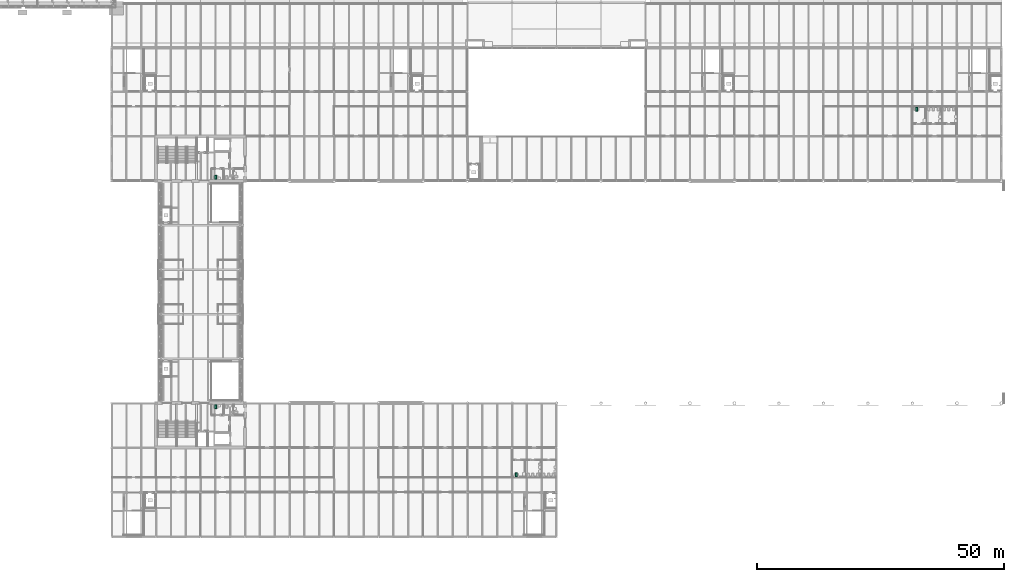
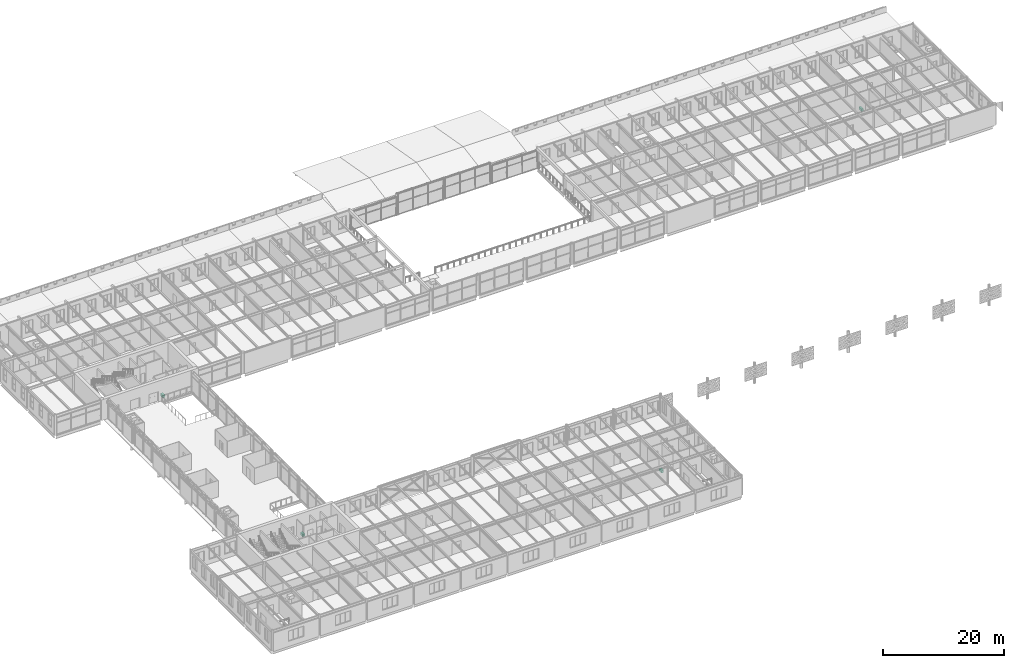
# One storey, part 120 of 123: 4 sanitary terminals.
"""IFC4 building model written with IfcOpenShell, lengths in metres."""

from ifc_helpers import new_model, si_unit, direction, frame, origin, origin_2d, place, context, subcontext, project, spatial, rectangle, extrude, material, type_object, element, save


model = new_model("IFC4")

# Units and contexts
model_context = context("Model", 3, precision=1e-05, world=origin(), true_north=direction((0.0, 1.0)))
body_context = subcontext(model_context, "Body", "Model", "MODEL_VIEW")
ifc_project = project(units=[si_unit("LENGTHUNIT", "METRE"), si_unit("AREAUNIT", "SQUARE_METRE"), si_unit("VOLUMEUNIT", "CUBIC_METRE"), si_unit("PLANEANGLEUNIT", "RADIAN"), si_unit("MASSUNIT", "GRAM", prefix="KILO")], contexts=[model_context])

# Site, building, storey
site_placement = place(None, origin())
site = spatial("IfcSite", under=ifc_project, at=site_placement, CompositionType="ELEMENT")
building_placement = place(site_placement, origin())
building = spatial("IfcBuilding", under=site, at=building_placement, Name="Baradari Gate Terminus", CompositionType="ELEMENT")
storey_placement = place(building_placement, frame((0.0, 0.0, 7.5)))
storey = spatial("IfcBuildingStorey", under=building, at=storey_placement, Name="L01", CompositionType="ELEMENT", Elevation=7.5)

# Sanitary terminals
ifc_material = material(Name="Vitreous china", Category="ceramic")
sanitary_terminal_type = type_object("IfcSanitaryTerminalType", Name="Accessible WC pan SW-5", PredefinedType="TOILETPAN", material=ifc_material)
for number, where, z_axis, x_axis, name in (
    (1, (225.83740234375, 95.512451171875, 0.0), (0.0, 0.0, 1.0), (1.0, 0.0, 0.0), "Accessible WC pan Accessible WC"),
    (2, (144.83740234375, 21.487548828125, 0.0), (0.0, 0.0, 1.0), (1.0, 0.0, 0.0), "Accessible WC pan Accessible WC"),
    (3, (84.050048828125, 81.699951171875, 0.0), (0.0, 0.0, 1.0), (1.0, 0.0, 0.0), "Accessible WC pan Accessible WC"),
    (4, (84.050048828125, 35.300048828125, 0.0), (0.0, 0.0, 1.0), (1.0, 0.0, 0.0), "Accessible WC pan Accessible WC"),
):
    element("IfcSanitaryTerminal", number, at=place(storey_placement, frame(where, z_axis=z_axis, x_axis=x_axis)), inside=storey, type_object=sanitary_terminal_type, Name=name, PredefinedType="TOILETPAN", context=body_context, shape_type="SweptSolid", body=[
        extrude(rectangle(XDim=0.39990234375, YDim=0.800048828125, at=origin_2d()), origin(), (0.0, 0.0, 1.0), 0.47998046875),
    ])

save(model, "model.ifc")
